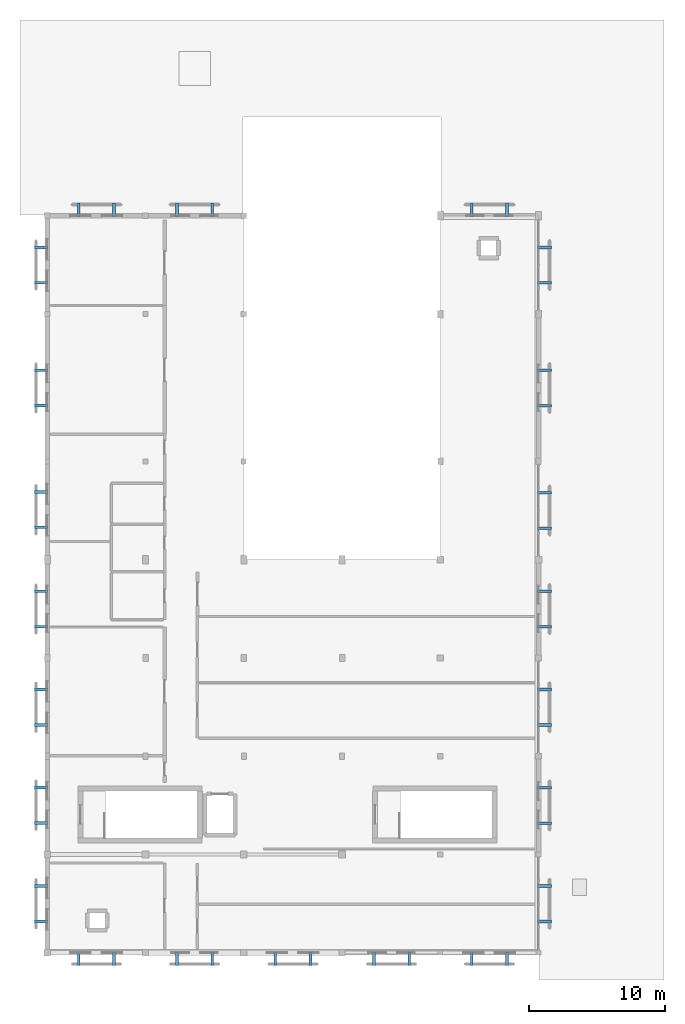
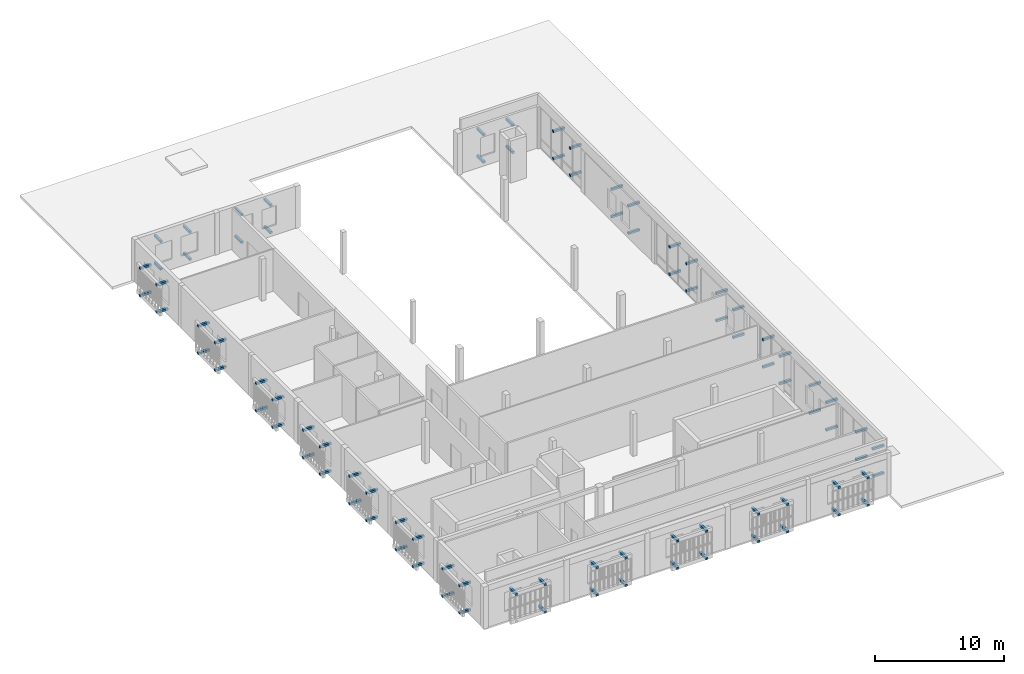
# One storey, part 10 of 11: 87 discrete accessories.
"""IFC4 building model written with IfcOpenShell, lengths in metres."""

from ifc_helpers import new_model, si_unit, direction, frame, origin, origin_2d, place, context, subcontext, project, spatial, rectangle, extrude, material, type_object, element, save


model = new_model("IFC4")

# Units and contexts
model_context = context("Model", 3, precision=1e-05, world=origin(), true_north=direction((0.0, 1.0)))
body_context = subcontext(model_context, "Body", "Model", "MODEL_VIEW")
ifc_project = project(units=[si_unit("LENGTHUNIT", "METRE"), si_unit("AREAUNIT", "SQUARE_METRE"), si_unit("VOLUMEUNIT", "CUBIC_METRE"), si_unit("PLANEANGLEUNIT", "RADIAN"), si_unit("MASSUNIT", "GRAM", prefix="KILO")], contexts=[model_context])

# Site, building, storey
site_placement = place(None, origin())
site = spatial("IfcSite", under=ifc_project, at=site_placement, CompositionType="ELEMENT")
building_placement = place(site_placement, origin())
building = spatial("IfcBuilding", under=site, at=building_placement, Name="Mazaris Harbour Polytechnic", CompositionType="ELEMENT")
storey_placement = place(building_placement, frame((0.0, 0.0, 22.199951171875)))
storey = spatial("IfcBuildingStorey", under=building, at=storey_placement, Name="L05", CompositionType="ELEMENT", Elevation=22.199951171875)

# Discrete accessories
ifc_material = material(Name="Stainless Steel S355", Category="steel")
discrete_accessory_type = type_object("IfcDiscreteAccessoryType", Name="Stainless Screen Outrigger Bracket 200x1020x200", PredefinedType="BRACKET", material=ifc_material)
for number, where, z_axis, x_axis, name in (
    (1, (4.89599609375, 6.760009765625, 0.16015625), (0.0, 0.0, 1.0), (-1.0, 0.0, 0.0), "Screen Outrigger Bracket 1341"),
    (2, (4.89599609375, 6.760009765625, 2.740234375), (0.0, 0.0, 1.0), (-1.0, 0.0, 0.0), "Screen Outrigger Bracket 1342"),
    (3, (2.303955078125, 6.760009765625, 2.740234375), (0.0, 0.0, 1.0), (-1.0, 0.0, 0.0), "Screen Outrigger Bracket 1344"),
    (4, (12.095947265625, 6.760009765625, 0.16015625), (0.0, 0.0, 1.0), (-1.0, 0.0, 0.0), "Screen Outrigger Bracket 1345"),
    (5, (12.095947265625, 6.760009765625, 2.740234375), (0.0, 0.0, 1.0), (-1.0, 0.0, 0.0), "Screen Outrigger Bracket 1346"),
    (6, (9.50390625, 6.760009765625, 0.16015625), (0.0, 0.0, 1.0), (-1.0, 0.0, 0.0), "Screen Outrigger Bracket 1347"),
    (7, (9.50390625, 6.760009765625, 2.740234375), (0.0, 0.0, 1.0), (-1.0, 0.0, 0.0), "Screen Outrigger Bracket 1348"),
    (8, (19.2958984375, 6.760009765625, 0.16015625), (0.0, 0.0, 1.0), (-1.0, 0.0, 0.0), "Screen Outrigger Bracket 1349"),
    (9, (19.2958984375, 6.760009765625, 2.740234375), (0.0, 0.0, 1.0), (-1.0, 0.0, 0.0), "Screen Outrigger Bracket 1350"),
    (10, (16.7041015625, 6.760009765625, 0.16015625), (0.0, 0.0, 1.0), (-1.0, 0.0, 0.0), "Screen Outrigger Bracket 1351"),
    (11, (16.7041015625, 6.760009765625, 2.740234375), (0.0, 0.0, 1.0), (-1.0, 0.0, 0.0), "Screen Outrigger Bracket 1352"),
    (12, (26.52587890625, 6.760009765625, 0.16015625), (0.0, 0.0, 1.0), (-1.0, 0.0, 0.0), "Screen Outrigger Bracket 1353"),
    (13, (26.52587890625, 6.760009765625, 2.740234375), (0.0, 0.0, 1.0), (-1.0, 0.0, 0.0), "Screen Outrigger Bracket 1354"),
    (14, (23.93408203125, 6.760009765625, 0.16015625), (0.0, 0.0, 1.0), (-1.0, 0.0, 0.0), "Screen Outrigger Bracket 1355"),
    (15, (23.93408203125, 6.760009765625, 2.740234375), (0.0, 0.0, 1.0), (-1.0, 0.0, 0.0), "Screen Outrigger Bracket 1356"),
    (16, (33.696044921875, 6.760009765625, 0.16015625), (0.0, 0.0, 1.0), (-1.0, 0.0, 0.0), "Screen Outrigger Bracket 1357"),
    (17, (33.696044921875, 6.760009765625, 2.740234375), (0.0, 0.0, 1.0), (-1.0, 0.0, 0.0), "Screen Outrigger Bracket 1358"),
    (18, (31.10400390625, 6.760009765625, 0.16015625), (0.0, 0.0, 1.0), (-1.0, 0.0, 0.0), "Screen Outrigger Bracket 1359"),
    (19, (31.10400390625, 6.760009765625, 2.740234375), (0.0, 0.0, 1.0), (-1.0, 0.0, 0.0), "Screen Outrigger Bracket 1360"),
    (20, (2.303955078125, 61.639892578125, 0.16015625), (0.0, 0.0, 1.0), (1.0, 0.0, 0.0), "Screen Outrigger Bracket 1361"),
    (21, (2.303955078125, 61.639892578125, 2.740234375), (0.0, 0.0, 1.0), (1.0, 0.0, 0.0), "Screen Outrigger Bracket 1362"),
    (22, (4.89599609375, 61.639892578125, 0.16015625), (0.0, 0.0, 1.0), (1.0, 0.0, 0.0), "Screen Outrigger Bracket 1363"),
    (23, (4.89599609375, 61.639892578125, 2.740234375), (0.0, 0.0, 1.0), (1.0, 0.0, 0.0), "Screen Outrigger Bracket 1364"),
    (24, (9.50390625, 61.639892578125, 0.16015625), (0.0, 0.0, 1.0), (1.0, 0.0, 0.0), "Screen Outrigger Bracket 1365"),
    (25, (9.50390625, 61.639892578125, 2.740234375), (0.0, 0.0, 1.0), (1.0, 0.0, 0.0), "Screen Outrigger Bracket 1366"),
    (26, (12.095947265625, 61.639892578125, 0.16015625), (0.0, 0.0, 1.0), (1.0, 0.0, 0.0), "Screen Outrigger Bracket 1367"),
    (27, (12.095947265625, 61.639892578125, 2.740234375), (0.0, 0.0, 1.0), (1.0, 0.0, 0.0), "Screen Outrigger Bracket 1368"),
    (28, (31.10400390625, 61.639892578125, 0.16015625), (0.0, 0.0, 1.0), (1.0, 0.0, 0.0), "Screen Outrigger Bracket 1369"),
    (29, (31.10400390625, 61.639892578125, 2.740234375), (0.0, 0.0, 1.0), (1.0, 0.0, 0.0), "Screen Outrigger Bracket 1370"),
    (30, (33.696044921875, 61.639892578125, 0.16015625), (0.0, 0.0, 1.0), (1.0, 0.0, 0.0), "Screen Outrigger Bracket 1371"),
    (31, (33.696044921875, 61.639892578125, 2.740234375), (0.0, 0.0, 1.0), (1.0, 0.0, 0.0), "Screen Outrigger Bracket 1372"),
    (32, (-0.43994140625, 9.493896484375, 0.16015625), (0.0, 0.0, 1.0), (0.0, 1.0, 0.0), "Screen Outrigger Bracket 1373"),
    (33, (-0.43994140625, 9.493896484375, 2.740234375), (0.0, 0.0, 1.0), (0.0, 1.0, 0.0), "Screen Outrigger Bracket 1374"),
    (34, (-0.43994140625, 12.0859375, 0.16015625), (0.0, 0.0, 1.0), (0.0, 1.0, 0.0), "Screen Outrigger Bracket 1375"),
    (35, (-0.43994140625, 12.0859375, 2.740234375), (0.0, 0.0, 1.0), (0.0, 1.0, 0.0), "Screen Outrigger Bracket 1376"),
    (36, (-0.43994140625, 16.708984375, 0.16015625), (0.0, 0.0, 1.0), (0.0, 1.0, 0.0), "Screen Outrigger Bracket 1377"),
    (37, (-0.43994140625, 16.708984375, 2.740234375), (0.0, 0.0, 1.0), (0.0, 1.0, 0.0), "Screen Outrigger Bracket 1378"),
    (38, (-0.43994140625, 19.301025390625, 0.16015625), (0.0, 0.0, 1.0), (0.0, 1.0, 0.0), "Screen Outrigger Bracket 1379"),
    (39, (-0.43994140625, 19.301025390625, 2.740234375), (0.0, 0.0, 1.0), (0.0, 1.0, 0.0), "Screen Outrigger Bracket 1380"),
    (40, (-0.43994140625, 23.888916015625, 0.16015625), (0.0, 0.0, 1.0), (0.0, 1.0, 0.0), "Screen Outrigger Bracket 1381"),
    (41, (-0.43994140625, 23.888916015625, 2.740234375), (0.0, 0.0, 1.0), (0.0, 1.0, 0.0), "Screen Outrigger Bracket 1382"),
    (42, (-0.43994140625, 26.48095703125, 0.16015625), (0.0, 0.0, 1.0), (0.0, 1.0, 0.0), "Screen Outrigger Bracket 1383"),
    (43, (-0.43994140625, 26.48095703125, 2.740234375), (0.0, 0.0, 1.0), (0.0, 1.0, 0.0), "Screen Outrigger Bracket 1384"),
    (44, (-0.43994140625, 31.089111328125, 0.16015625), (0.0, 0.0, 1.0), (0.0, 1.0, 0.0), "Screen Outrigger Bracket 1385"),
    (45, (-0.43994140625, 31.089111328125, 2.740234375), (0.0, 0.0, 1.0), (0.0, 1.0, 0.0), "Screen Outrigger Bracket 1386"),
    (46, (-0.43994140625, 33.680908203125, 0.16015625), (0.0, 0.0, 1.0), (0.0, 1.0, 0.0), "Screen Outrigger Bracket 1387"),
    (47, (-0.43994140625, 33.680908203125, 2.740234375), (0.0, 0.0, 1.0), (0.0, 1.0, 0.0), "Screen Outrigger Bracket 1388"),
    (48, (-0.43994140625, 38.368896484375, 0.16015625), (0.0, 0.0, 1.0), (0.0, 1.0, 0.0), "Screen Outrigger Bracket 1389"),
    (49, (-0.43994140625, 38.368896484375, 2.740234375), (0.0, 0.0, 1.0), (0.0, 1.0, 0.0), "Screen Outrigger Bracket 1390"),
    (50, (-0.43994140625, 40.9609375, 0.16015625), (0.0, 0.0, 1.0), (0.0, 1.0, 0.0), "Screen Outrigger Bracket 1391"),
    (51, (-0.43994140625, 40.9609375, 2.740234375), (0.0, 0.0, 1.0), (0.0, 1.0, 0.0), "Screen Outrigger Bracket 1392"),
    (52, (-0.43994140625, 47.2939453125, 0.16015625), (0.0, 0.0, 1.0), (0.0, 1.0, 0.0), "Screen Outrigger Bracket 1393"),
    (53, (-0.43994140625, 47.2939453125, 2.740234375), (0.0, 0.0, 1.0), (0.0, 1.0, 0.0), "Screen Outrigger Bracket 1394"),
    (54, (-0.43994140625, 49.885986328125, 0.16015625), (0.0, 0.0, 1.0), (0.0, 1.0, 0.0), "Screen Outrigger Bracket 1395"),
    (55, (-0.43994140625, 49.885986328125, 2.740234375), (0.0, 0.0, 1.0), (0.0, 1.0, 0.0), "Screen Outrigger Bracket 1396"),
    (56, (-0.43994140625, 56.2939453125, 0.16015625), (0.0, 0.0, 1.0), (0.0, 1.0, 0.0), "Screen Outrigger Bracket 1397"),
    (57, (-0.43994140625, 56.2939453125, 2.740234375), (0.0, 0.0, 1.0), (0.0, 1.0, 0.0), "Screen Outrigger Bracket 1398"),
    (58, (-0.43994140625, 58.885986328125, 0.16015625), (0.0, 0.0, 1.0), (0.0, 1.0, 0.0), "Screen Outrigger Bracket 1399"),
    (59, (-0.43994140625, 58.885986328125, 2.740234375), (0.0, 0.0, 1.0), (0.0, 1.0, 0.0), "Screen Outrigger Bracket 1400"),
    (60, (36.43994140625, 12.0859375, 0.16015625), (0.0, 0.0, 1.0), (0.0, -1.0, 0.0), "Screen Outrigger Bracket 1401"),
    (61, (36.43994140625, 12.0859375, 2.740234375), (0.0, 0.0, 1.0), (0.0, -1.0, 0.0), "Screen Outrigger Bracket 1402"),
    (62, (36.43994140625, 9.493896484375, 0.16015625), (0.0, 0.0, 1.0), (0.0, -1.0, 0.0), "Screen Outrigger Bracket 1403"),
    (63, (36.43994140625, 9.493896484375, 2.740234375), (0.0, 0.0, 1.0), (0.0, -1.0, 0.0), "Screen Outrigger Bracket 1404"),
    (64, (36.43994140625, 19.285888671875, 0.16015625), (0.0, 0.0, 1.0), (0.0, -1.0, 0.0), "Screen Outrigger Bracket 1405"),
    (65, (36.43994140625, 19.285888671875, 2.740234375), (0.0, 0.0, 1.0), (0.0, -1.0, 0.0), "Screen Outrigger Bracket 1406"),
    (66, (36.43994140625, 16.694091796875, 0.16015625), (0.0, 0.0, 1.0), (0.0, -1.0, 0.0), "Screen Outrigger Bracket 1407"),
    (67, (36.43994140625, 16.694091796875, 2.740234375), (0.0, 0.0, 1.0), (0.0, -1.0, 0.0), "Screen Outrigger Bracket 1408"),
    (68, (36.43994140625, 26.486083984375, 0.16015625), (0.0, 0.0, 1.0), (0.0, -1.0, 0.0), "Screen Outrigger Bracket 1409"),
    (69, (36.43994140625, 26.486083984375, 2.740234375), (0.0, 0.0, 1.0), (0.0, -1.0, 0.0), "Screen Outrigger Bracket 1410"),
    (70, (36.43994140625, 23.89404296875, 0.16015625), (0.0, 0.0, 1.0), (0.0, -1.0, 0.0), "Screen Outrigger Bracket 1411"),
    (71, (36.43994140625, 23.89404296875, 2.740234375), (0.0, 0.0, 1.0), (0.0, -1.0, 0.0), "Screen Outrigger Bracket 1412"),
    (72, (36.43994140625, 33.68603515625, 0.16015625), (0.0, 0.0, 1.0), (0.0, -1.0, 0.0), "Screen Outrigger Bracket 1413"),
    (73, (36.43994140625, 33.68603515625, 2.740234375), (0.0, 0.0, 1.0), (0.0, -1.0, 0.0), "Screen Outrigger Bracket 1414"),
    (74, (36.43994140625, 31.093994140625, 0.16015625), (0.0, 0.0, 1.0), (0.0, -1.0, 0.0), "Screen Outrigger Bracket 1415"),
    (75, (36.43994140625, 31.093994140625, 2.740234375), (0.0, 0.0, 1.0), (0.0, -1.0, 0.0), "Screen Outrigger Bracket 1416"),
    (76, (36.43994140625, 40.90087890625, 0.16015625), (0.0, 0.0, 1.0), (0.0, -1.0, 0.0), "Screen Outrigger Bracket 1417"),
    (77, (36.43994140625, 40.90087890625, 2.740234375), (0.0, 0.0, 1.0), (0.0, -1.0, 0.0), "Screen Outrigger Bracket 1418"),
    (78, (36.43994140625, 38.30908203125, 0.16015625), (0.0, 0.0, 1.0), (0.0, -1.0, 0.0), "Screen Outrigger Bracket 1419"),
    (79, (36.43994140625, 38.30908203125, 2.740234375), (0.0, 0.0, 1.0), (0.0, -1.0, 0.0), "Screen Outrigger Bracket 1420"),
    (80, (36.43994140625, 49.881103515625, 0.16015625), (0.0, 0.0, 1.0), (0.0, -1.0, 0.0), "Screen Outrigger Bracket 1421"),
    (81, (36.43994140625, 49.881103515625, 2.740234375), (0.0, 0.0, 1.0), (0.0, -1.0, 0.0), "Screen Outrigger Bracket 1422"),
    (82, (36.43994140625, 47.2890625, 0.16015625), (0.0, 0.0, 1.0), (0.0, -1.0, 0.0), "Screen Outrigger Bracket 1423"),
    (83, (36.43994140625, 47.2890625, 2.740234375), (0.0, 0.0, 1.0), (0.0, -1.0, 0.0), "Screen Outrigger Bracket 1424"),
    (84, (36.43994140625, 58.881103515625, 0.16015625), (0.0, 0.0, 1.0), (0.0, -1.0, 0.0), "Screen Outrigger Bracket 1425"),
    (85, (36.43994140625, 58.881103515625, 2.740234375), (0.0, 0.0, 1.0), (0.0, -1.0, 0.0), "Screen Outrigger Bracket 1426"),
    (86, (36.43994140625, 56.2890625, 0.16015625), (0.0, 0.0, 1.0), (0.0, -1.0, 0.0), "Screen Outrigger Bracket 1427"),
    (87, (36.43994140625, 56.2890625, 2.740234375), (0.0, 0.0, 1.0), (0.0, -1.0, 0.0), "Screen Outrigger Bracket 1428"),
):
    element("IfcDiscreteAccessory", number, at=place(storey_placement, frame(where, z_axis=z_axis, x_axis=x_axis)), inside=storey, type_object=discrete_accessory_type, Name=name, PredefinedType="BRACKET", context=body_context, shape_type="SweptSolid", body=[
        extrude(rectangle(XDim=0.199951171875, YDim=1.02001953125, at=origin_2d()), origin(), (0.0, 0.0, 1.0), 0.199951171875),
    ])

save(model, "model.ifc")
